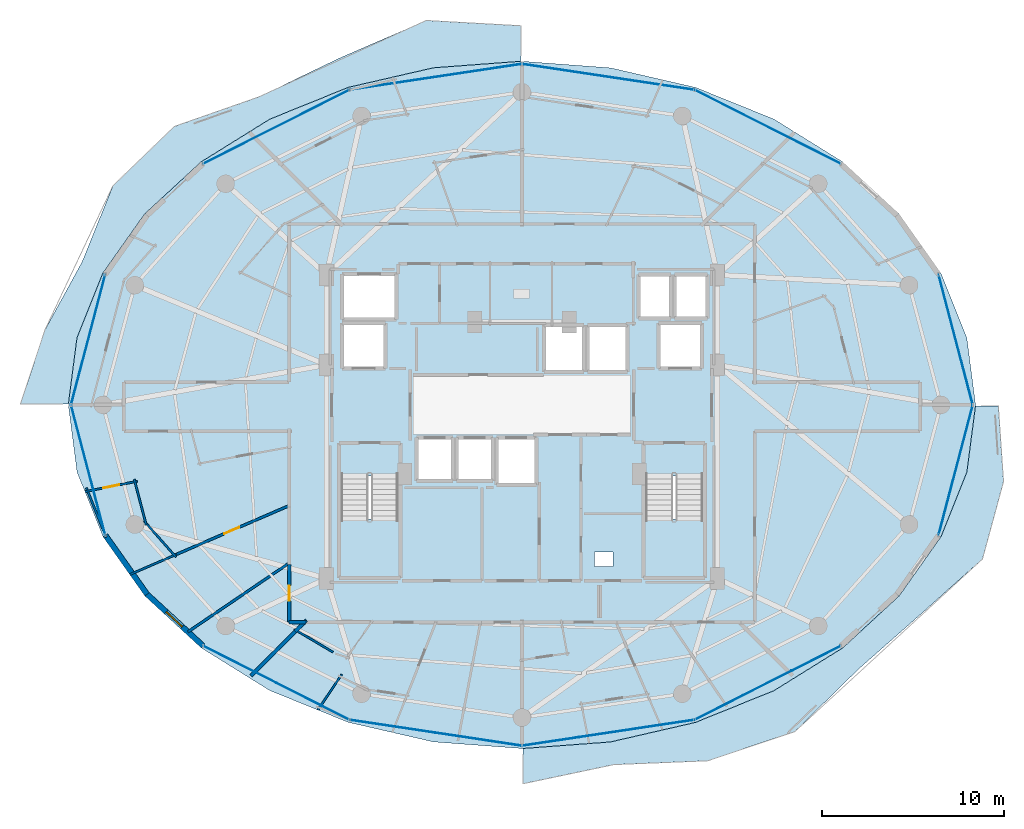
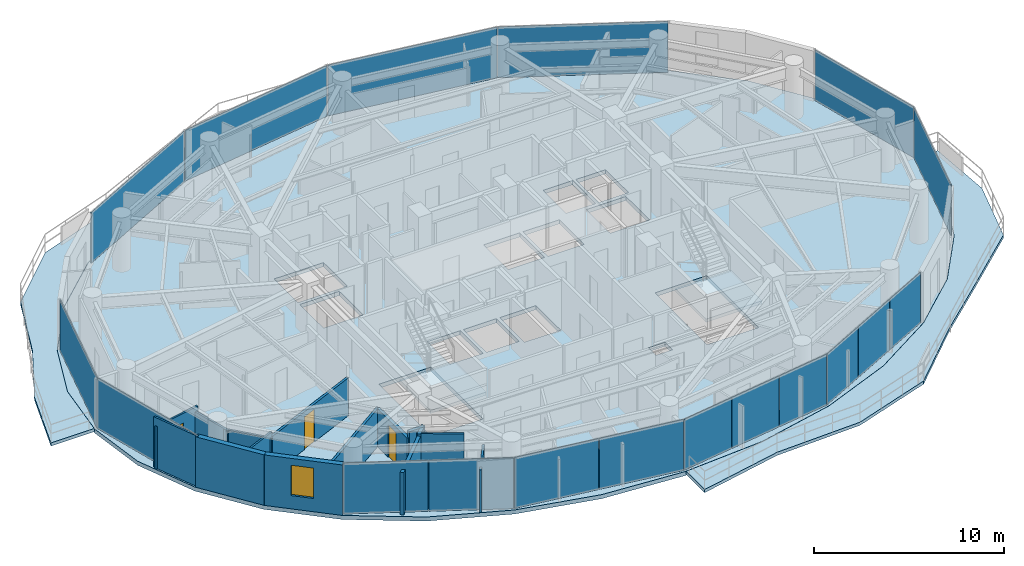
# One storey, part 21 of 31: 18 plates, 15 walls, 5 slabs, 3 doors, 1 window, 4 openings, 6 elements without a shape of their own.
"""IFC4 building model written with IfcOpenShell, lengths in metres."""

from ifc_helpers import new_model, si_unit, direction, frame, frame_2d, origin, origin_2d, place, context, subcontext, project, spatial, polyline, rectangle, outline, extrude, material, layer, layer_set, type_object, element, fill, aggregate, save


model = new_model("IFC4")

# Units and contexts
model_context = context("Model", 3, precision=1e-05, world=origin(), true_north=direction((0.0, 1.0)))
body_context = subcontext(model_context, "Body", "Model", "MODEL_VIEW")
ifc_project = project(units=[si_unit("LENGTHUNIT", "METRE"), si_unit("AREAUNIT", "SQUARE_METRE"), si_unit("VOLUMEUNIT", "CUBIC_METRE"), si_unit("PLANEANGLEUNIT", "RADIAN"), si_unit("MASSUNIT", "GRAM", prefix="KILO")], contexts=[model_context])

# Site, building, storey
site_placement = place(None, origin())
site = spatial("IfcSite", under=ifc_project, at=site_placement, CompositionType="ELEMENT")
building_placement = place(site_placement, origin())
building = spatial("IfcBuilding", under=site, at=building_placement, Name="Vorneva Point Tower", CompositionType="ELEMENT")
storey_placement = place(building_placement, frame((0.0, 0.0, 136.10009765625)))
storey = spatial("IfcBuildingStorey", under=building, at=storey_placement, Name="L36", CompositionType="ELEMENT", Elevation=136.10009765625)

# Curtain wall, plates
ifc_material_1 = material(Name="Pale anodised aluminium", Category="aluminium")
curtain_wall_type = type_object("IfcCurtainWallType", Name="CW-RES-SYS", PredefinedType="NOTDEFINED", material=ifc_material_1)
curtain_wall_1_placement = place(storey_placement, origin())
curtain_wall_1 = element("IfcCurtainWall", 1, at=curtain_wall_1_placement, inside=storey, type_object=curtain_wall_type, Name="L36 Unitised Curtain Wall CW-L36-R01", PredefinedType="NOTDEFINED")
ifc_material_2 = material(Name="Double low-e laminated glass IGU", Category="glass")
ifc_layer_1 = layer(ifc_material_2, 0.035888671875)
ifc_layer_set_1 = layer_set([ifc_layer_1], Name="Double low-e laminated glass IGU")
plate_type = type_object("IfcPlateType", Name="CW-PNL-VIS", PredefinedType="CURTAIN_PANEL", material=ifc_layer_set_1)
plate_1_placement = place(storey_placement, frame((61.856201171875, 22.412353515625, -0.02001953125), z_axis=(0.0, 0.0, 1.0), x_axis=(0.254433162972, 0.967090360608, 0.0)))
plate_1 = element("IfcPlate", 2, at=plate_1_placement, type_object=plate_type, Name="CW-L36-R01 Glazed Panel 01", PredefinedType="CURTAIN_PANEL", context=body_context, shape_type="SweptSolid", body=[
    extrude(rectangle(XDim=7.369384765625, YDim=0.035888671875, at=origin_2d()), origin(), (0.0, 0.0, 1.0), 3.280029296875),
])
plate_2_placement = place(storey_placement, frame((61.856201171875, 29.587646484375, -0.02001953125), z_axis=(0.0, 0.0, 1.0), x_axis=(-0.254433162972, 0.967090360608, 0.0)))
plate_2 = element("IfcPlate", 3, at=plate_2_placement, type_object=plate_type, Name="CW-L36-R01 Glazed Panel 02", PredefinedType="CURTAIN_PANEL", context=body_context, shape_type="SweptSolid", body=[
    extrude(rectangle(XDim=7.369384765625, YDim=0.035888671875, at=origin_2d()), origin(), (0.0, 0.0, 1.0), 3.280029296875),
])
aggregate(curtain_wall_1, [plate_1, plate_2])

curtain_wall_2_placement = place(storey_placement, origin())
curtain_wall_2 = element("IfcCurtainWall", 4, at=curtain_wall_2_placement, inside=storey, type_object=curtain_wall_type, Name="L36 Unitised Curtain Wall CW-L36-R02", PredefinedType="NOTDEFINED")
plate_3_placement = place(storey_placement, frame((51.513427734375, 41.29052734375, -0.02001953125), z_axis=(0.0, 0.0, 1.0), x_axis=(-0.892577949019, 0.450893119182, 0.0)))
plate_3 = element("IfcPlate", 5, at=plate_3_placement, type_object=plate_type, Name="CW-L36-R02 Glazed Panel 01", PredefinedType="CURTAIN_PANEL", context=body_context, shape_type="SweptSolid", body=[
    extrude(rectangle(XDim=8.964111328125, YDim=0.035888671875, at=origin_2d()), origin(), (0.0, 0.0, 1.0), 3.280029296875),
])
plate_4_placement = place(storey_placement, frame((42.7451171875, 44.036376953125, -0.02001953125), z_axis=(0.0, 0.0, 1.0), x_axis=(-0.988878712919, 0.148724211669, 0.0)))
plate_4 = element("IfcPlate", 6, at=plate_4_placement, type_object=plate_type, Name="CW-L36-R02 Glazed Panel 02", PredefinedType="CURTAIN_PANEL", context=body_context, shape_type="SweptSolid", body=[
    extrude(rectangle(XDim=9.547119140625, YDim=0.035888671875, at=origin_2d()), origin(), (0.0, 0.0, 1.0), 3.280029296875),
])
plate_5_placement = place(storey_placement, frame((33.2548828125, 44.036376953125, -0.02001953125), z_axis=(0.0, 0.0, 1.0), x_axis=(-0.988878712919, -0.148724211669, 0.0)))
plate_5 = element("IfcPlate", 7, at=plate_5_placement, type_object=plate_type, Name="CW-L36-R02 Glazed Panel 03", PredefinedType="CURTAIN_PANEL", context=body_context, shape_type="SweptSolid", body=[
    extrude(rectangle(XDim=9.547119140625, YDim=0.035888671875, at=origin_2d()), origin(), (0.0, 0.0, 1.0), 3.280029296875),
])
plate_6_placement = place(storey_placement, frame((24.486572265625, 41.29052734375, -0.02001953125), z_axis=(0.0, 0.0, 1.0), x_axis=(-0.892577949019, -0.450893119182, 0.0)))
plate_6 = element("IfcPlate", 8, at=plate_6_placement, type_object=plate_type, Name="CW-L36-R02 Glazed Panel 04", PredefinedType="CURTAIN_PANEL", context=body_context, shape_type="SweptSolid", body=[
    extrude(rectangle(XDim=8.964111328125, YDim=0.035888671875, at=origin_2d()), origin(), (0.0, 0.0, 1.0), 3.280029296875),
])
aggregate(curtain_wall_2, [plate_3, plate_4, plate_5, plate_6])

curtain_wall_3_placement = place(storey_placement, origin())
curtain_wall_3 = element("IfcCurtainWall", 9, at=curtain_wall_3_placement, inside=storey, type_object=curtain_wall_type, Name="L36 Unitised Curtain Wall CW-L36-R03", PredefinedType="NOTDEFINED")
plate_7_placement = place(storey_placement, frame((14.143798828125, 29.587646484375, -0.02001953125), z_axis=(0.0, 0.0, 1.0), x_axis=(-0.254433162972, -0.967090360608, 0.0)))
plate_7 = element("IfcPlate", 10, at=plate_7_placement, type_object=plate_type, Name="CW-L36-R03 Glazed Panel 01", PredefinedType="CURTAIN_PANEL", context=body_context, shape_type="SweptSolid", body=[
    extrude(rectangle(XDim=7.369384765625, YDim=0.035888671875, at=origin_2d()), origin(), (0.0, 0.0, 1.0), 3.280029296875),
])
plate_8_placement = place(storey_placement, frame((14.143798828125, 22.412353515625, -0.02001953125), z_axis=(0.0, 0.0, 1.0), x_axis=(0.254433162972, -0.967090360608, 0.0)))
plate_8 = element("IfcPlate", 11, at=plate_8_placement, type_object=plate_type, Name="CW-L36-R03 Glazed Panel 02", PredefinedType="CURTAIN_PANEL", context=body_context, shape_type="SweptSolid", body=[
    extrude(rectangle(XDim=7.369384765625, YDim=0.035888671875, at=origin_2d()), origin(), (0.0, 0.0, 1.0), 3.280029296875),
])
aggregate(curtain_wall_3, [plate_7, plate_8])

curtain_wall_4_placement = place(storey_placement, origin())
curtain_wall_4 = element("IfcCurtainWall", 12, at=curtain_wall_4_placement, inside=storey, type_object=curtain_wall_type, Name="L36 Unitised Curtain Wall CW-L36-R04", PredefinedType="NOTDEFINED")
plate_9_placement = place(storey_placement, frame((22.47509765625, 11.7255859375, -0.02001953125), z_axis=(0.0, 0.0, 1.0), x_axis=(0.892577949019, -0.450893119182, 0.0)))
plate_9 = element("IfcPlate", 13, at=plate_9_placement, type_object=plate_type, Name="CW-L36-R04 Glazed Panel 01A", PredefinedType="CURTAIN_PANEL", context=body_context, shape_type="SweptSolid", body=[
    extrude(rectangle(XDim=4.45703125, YDim=0.035888671875, at=origin_2d()), origin(), (0.0, 0.0, 1.0), 3.280029296875),
])
plate_10_placement = place(storey_placement, frame((26.498046875, 9.693359375, -0.02001953125), z_axis=(0.0, 0.0, 1.0), x_axis=(0.892577949019, -0.450893119182, 0.0)))
plate_10 = element("IfcPlate", 14, at=plate_10_placement, type_object=plate_type, Name="CW-L36-R04 Glazed Panel 01B", PredefinedType="CURTAIN_PANEL", context=body_context, shape_type="SweptSolid", body=[
    extrude(rectangle(XDim=4.45703125, YDim=0.035888671875, at=origin_2d()), origin(), (0.0, 0.0, 1.0), 3.280029296875),
])
plate_11_placement = place(storey_placement, frame((30.882080078125, 8.320556640625, -0.02001953125), z_axis=(0.0, 0.0, 1.0), x_axis=(0.988878712919, -0.148724211669, 0.0)))
plate_11 = element("IfcPlate", 15, at=plate_11_placement, type_object=plate_type, Name="CW-L36-R04 Glazed Panel 02A", PredefinedType="CURTAIN_PANEL", context=body_context, shape_type="SweptSolid", body=[
    extrude(rectangle(XDim=4.74853515625, YDim=0.035888671875, at=origin_2d()), origin(), (0.0, 0.0, 1.0), 3.280029296875),
])
plate_12_placement = place(storey_placement, frame((35.62744140625, 7.606689453125, -0.02001953125), z_axis=(0.0, 0.0, 1.0), x_axis=(0.988878712919, -0.148724211669, 0.0)))
plate_12 = element("IfcPlate", 16, at=plate_12_placement, type_object=plate_type, Name="CW-L36-R04 Glazed Panel 02B", PredefinedType="CURTAIN_PANEL", context=body_context, shape_type="SweptSolid", body=[
    extrude(rectangle(XDim=4.74853515625, YDim=0.035888671875, at=origin_2d()), origin(), (0.0, 0.0, 1.0), 3.280029296875),
])
plate_13_placement = place(storey_placement, frame((39.581787109375, 7.48779296875, -0.02001953125), z_axis=(0.0, 0.0, 1.0), x_axis=(0.988878712919, 0.148724211669, 0.0)))
plate_13 = element("IfcPlate", 17, at=plate_13_placement, type_object=plate_type, Name="CW-L36-R04 Glazed Panel 03A", PredefinedType="CURTAIN_PANEL", context=body_context, shape_type="SweptSolid", body=[
    extrude(rectangle(XDim=3.149169921875, YDim=0.035888671875, at=origin_2d()), origin(), (0.0, 0.0, 1.0), 3.280029296875),
])
plate_14_placement = place(storey_placement, frame((42.7451171875, 7.963623046875, -0.02001953125), z_axis=(0.0, 0.0, 1.0), x_axis=(0.988878712919, 0.148724211669, 0.0)))
plate_14 = element("IfcPlate", 18, at=plate_14_placement, type_object=plate_type, Name="CW-L36-R04 Glazed Panel 03B", PredefinedType="CURTAIN_PANEL", context=body_context, shape_type="SweptSolid", body=[
    extrude(rectangle(XDim=3.149169921875, YDim=0.035888671875, at=origin_2d()), origin(), (0.0, 0.0, 1.0), 3.280029296875),
])
plate_15_placement = place(storey_placement, frame((45.90869140625, 8.439453125, -0.02001953125), z_axis=(0.0, 0.0, 1.0), x_axis=(0.988878712919, 0.148724211669, 0.0)))
plate_15 = element("IfcPlate", 19, at=plate_15_placement, type_object=plate_type, Name="CW-L36-R04 Glazed Panel 03C", PredefinedType="CURTAIN_PANEL", context=body_context, shape_type="SweptSolid", body=[
    extrude(rectangle(XDim=3.149169921875, YDim=0.035888671875, at=origin_2d()), origin(), (0.0, 0.0, 1.0), 3.280029296875),
])
plate_16_placement = place(storey_placement, frame((48.831298828125, 9.354736328125, -0.02001953125), z_axis=(0.0, 0.0, 1.0), x_axis=(0.892577949019, 0.450893119182, 0.0)))
plate_16 = element("IfcPlate", 20, at=plate_16_placement, type_object=plate_type, Name="CW-L36-R04 Glazed Panel 04A", PredefinedType="CURTAIN_PANEL", context=body_context, shape_type="SweptSolid", body=[
    extrude(rectangle(XDim=2.95458984375, YDim=0.035888671875, at=origin_2d()), origin(), (0.0, 0.0, 1.0), 3.280029296875),
])
plate_17_placement = place(storey_placement, frame((51.513427734375, 10.70947265625, -0.02001953125), z_axis=(0.0, 0.0, 1.0), x_axis=(0.892577949019, 0.450893119182, 0.0)))
plate_17 = element("IfcPlate", 21, at=plate_17_placement, type_object=plate_type, Name="CW-L36-R04 Glazed Panel 04B", PredefinedType="CURTAIN_PANEL", context=body_context, shape_type="SweptSolid", body=[
    extrude(rectangle(XDim=2.95458984375, YDim=0.035888671875, at=origin_2d()), origin(), (0.0, 0.0, 1.0), 3.280029296875),
])
plate_18_placement = place(storey_placement, frame((54.1953125, 12.064208984375, -0.02001953125), z_axis=(0.0, 0.0, 1.0), x_axis=(0.892577949019, 0.450893119182, 0.0)))
plate_18 = element("IfcPlate", 22, at=plate_18_placement, type_object=plate_type, Name="CW-L36-R04 Glazed Panel 04C", PredefinedType="CURTAIN_PANEL", context=body_context, shape_type="SweptSolid", body=[
    extrude(rectangle(XDim=2.95458984375, YDim=0.035888671875, at=origin_2d()), origin(), (0.0, 0.0, 1.0), 3.280029296875),
])
aggregate(curtain_wall_4, [plate_9, plate_10, plate_11, plate_12, plate_13, plate_14, plate_15, plate_16, plate_17, plate_18])

# Slabs
ifc_material_3 = material(Name="Concrete B50 (C40/50)", Category="concrete")
ifc_layer_2 = layer(ifc_material_3, 0.199951171875)
ifc_layer_set_2 = layer_set([ifc_layer_2], Name="Concrete B50 (C40/50)")
slab_type_1 = type_object("IfcSlabType", Name="SLB-BAL-200", PredefinedType="FLOOR", material=ifc_layer_set_2)
slab_1_placement = place(storey_placement, frame((0.0, 0.0, -0.2001953125)))
element("IfcSlab", 23, at=slab_1_placement, inside=storey, type_object=slab_type_1, Name="L36 Cantilevered Wave Balcony NW", PredefinedType="FLOOR", context=body_context, shape_type="SweptSolid", body=[
    extrude(outline(polyline([(10.41650390625, 26.050048828125), (13.052490234375, 26.050048828125), (13.525390625, 29.687744140625), (13.525390625, 29.68798828125), (13.525634765625, 29.6884765625), (13.525634765625, 29.688720703125), (14.945556640625, 33.234130859375), (14.94580078125, 33.234619140625), (14.94580078125, 33.235107421875), (17.25146484375, 36.502685546875), (17.251708984375, 36.5029296875), (17.252197265625, 36.503173828125), (20.35498046875, 39.3671875), (20.355224609375, 39.367431640625), (20.355712890625, 39.36767578125), (24.136474609375, 41.71826171875), (24.13671875, 41.718505859375), (24.136962890625, 41.718505859375), (28.450439453125, 43.465087890625), (28.45068359375, 43.465087890625), (28.451171875, 43.465087890625), (33.131591796875, 44.540771484375), (33.1318359375, 44.540771484375), (33.132080078125, 44.540771484375), (37.949951171875, 44.900390625), (37.949951171875, 46.852783203125), (32.73974609375, 47.14404296875), (27.948486328125, 45.06640625), (23.520751953125, 42.935302734375), (18.88134765625, 41.313232421875), (15.500732421875, 38.047607421875), (13.8056640625, 33.85791015625), (11.775390625, 30.147705078125), (10.41650390625, 26.050048828125)])), origin(), (0.0, 0.0, 1.0), 0.2001953125),
])
slab_2_placement = place(storey_placement, frame((0.0, 0.0, -0.2001953125)))
element("IfcSlab", 24, at=slab_2_placement, inside=storey, type_object=slab_type_1, Name="L36 Cantilevered Wave Balcony SE", PredefinedType="FLOOR", context=body_context, shape_type="SweptSolid", body=[
    extrude(outline(polyline([(64.48876953125, 21.782958984375), (64.203369140625, 25.949951171875), (62.947509765625, 25.949951171875), (62.474609375, 22.312255859375), (62.474609375, 22.31201171875), (62.474365234375, 22.3115234375), (62.474365234375, 22.311279296875), (61.054443359375, 18.765869140625), (61.05419921875, 18.765380859375), (61.05419921875, 18.764892578125), (58.74853515625, 15.497314453125), (58.748291015625, 15.4970703125), (58.747802734375, 15.496826171875), (55.64501953125, 12.6328125), (55.644775390625, 12.632568359375), (55.644287109375, 12.63232421875), (51.863525390625, 10.28173828125), (51.86328125, 10.281494140625), (51.863037109375, 10.281494140625), (47.549560546875, 8.534912109375), (47.54931640625, 8.534912109375), (47.548828125, 8.534912109375), (42.868408203125, 7.459228515625), (42.8681640625, 7.459228515625), (42.867919921875, 7.459228515625), (38.050048828125, 7.099609375), (38.050048828125, 5.160400390625), (43.055908203125, 6.2138671875), (48.2119140625, 6.422607421875), (53.0048828125, 8.026123046875), (56.52099609375, 11.475830078125), (59.916015625, 14.467041015625), (63.3291015625, 17.521484375), (64.48876953125, 21.782958984375)])), origin(), (0.0, 0.0, 1.0), 0.2001953125),
])

# Stair, slab
stair_type = type_object("IfcStairType", Name="ST-DOG-1500", PredefinedType="HALF_TURN_STAIR", material=ifc_material_3)
stair_1_placement = place(storey_placement, origin())
stair_1 = element("IfcStair", 25, at=stair_1_placement, inside=storey, type_object=stair_type, Name="L36 ST1", PredefinedType="HALF_TURN_STAIR")
ifc_layer_3 = layer(ifc_material_3, 0.199951171875)
ifc_layer_set_3 = layer_set([ifc_layer_3], Name="Concrete B50 (C40/50)")
slab_type_2 = type_object("IfcSlabType", Name="SLB-LND-200", PredefinedType="LANDING", material=ifc_layer_set_3)
slab_3_placement = place(storey_placement, frame((0.0, 0.0, 1.5498046875)))
slab_3 = element("IfcSlab", 26, at=slab_3_placement, type_object=slab_type_2, Name="ST1 landing 1", PredefinedType="LANDING", context=body_context, shape_type="SweptSolid", body=[
    extrude(outline(polyline([(27.929931640625, 16.47998046875), (31.320068359375, 16.47998046875), (31.320068359375, 19.72998046875), (27.929931640625, 19.72998046875), (27.929931640625, 16.47998046875)])), origin(), (0.0, 0.0, 1.0), 0.2001953125),
])
aggregate(stair_1, [slab_3])

stair_2_placement = place(storey_placement, origin())
stair_2 = element("IfcStair", 27, at=stair_2_placement, inside=storey, type_object=stair_type, Name="L36 ST2", PredefinedType="HALF_TURN_STAIR")
slab_4_placement = place(storey_placement, frame((0.0, 0.0, 1.5498046875)))
slab_4 = element("IfcSlab", 28, at=slab_4_placement, type_object=slab_type_2, Name="ST2 landing 1", PredefinedType="LANDING", context=body_context, shape_type="SweptSolid", body=[
    extrude(outline(polyline([(44.679931640625, 16.47998046875), (48.070068359375, 16.47998046875), (48.070068359375, 19.72998046875), (44.679931640625, 19.72998046875), (44.679931640625, 16.47998046875)])), origin(), (0.0, 0.0, 1.0), 0.2001953125),
])
aggregate(stair_2, [slab_4])

# Slab
ifc_layer_4 = layer(ifc_material_3, 0.260009765625)
ifc_layer_set_4 = layer_set([ifc_layer_4], Name="Concrete B50 (C40/50)")
slab_type_3 = type_object("IfcSlabType", Name="SLB-TYP-260", PredefinedType="FLOOR", material=ifc_layer_set_4)
slab_5_placement = place(storey_placement, frame((0.0, 0.0, -0.260009765625)))
element("IfcSlab", 29, at=slab_5_placement, inside=storey, type_object=slab_type_3, Name="L36 Structural Floor Plate", PredefinedType="FLOOR", context=body_context, shape_type="SweptSolid", body=[
    extrude(outline(polyline([(62.949951171875, 26.0), (62.470703125, 29.687255859375), (61.05078125, 33.232666015625), (58.7451171875, 36.500244140625), (55.642333984375, 39.3642578125), (51.861572265625, 41.71484375), (47.548095703125, 43.461181640625), (42.867431640625, 44.536865234375), (38.0, 44.89990234375), (33.132568359375, 44.536865234375), (28.451904296875, 43.461181640625), (24.138427734375, 41.71484375), (20.357666015625, 39.3642578125), (17.2548828125, 36.500244140625), (14.94921875, 33.232666015625), (13.529296875, 29.687255859375), (13.050048828125, 26.0), (13.529296875, 22.312744140625), (14.94921875, 18.767333984375), (17.2548828125, 15.499755859375), (20.357666015625, 12.6357421875), (24.138427734375, 10.28515625), (28.451904296875, 8.538818359375), (33.132568359375, 7.463134765625), (38.0, 7.10009765625), (42.867431640625, 7.463134765625), (47.548095703125, 8.538818359375), (51.861572265625, 10.28515625), (55.642333984375, 12.6357421875), (58.7451171875, 15.499755859375), (61.05078125, 18.767333984375), (62.470703125, 22.312744140625), (62.949951171875, 26.0)]), holes=[polyline([(32.199951171875, 21.800048828125), (34.199951171875, 21.800048828125), (34.199951171875, 24.199951171875), (32.199951171875, 24.199951171875), (32.199951171875, 21.800048828125)]), polyline([(34.39990234375, 21.800048828125), (36.39990234375, 21.800048828125), (36.39990234375, 24.199951171875), (34.39990234375, 24.199951171875), (34.39990234375, 21.800048828125)]), polyline([(36.60009765625, 21.60009765625), (38.800048828125, 21.60009765625), (38.800048828125, 24.199951171875), (36.60009765625, 24.199951171875), (36.60009765625, 21.60009765625)]), polyline([(39.199951171875, 27.800048828125), (41.39990234375, 27.800048828125), (41.39990234375, 30.39990234375), (39.199951171875, 30.39990234375), (39.199951171875, 27.800048828125)]), polyline([(41.60009765625, 27.800048828125), (43.800048828125, 27.800048828125), (43.800048828125, 30.39990234375), (41.60009765625, 30.39990234375), (41.60009765625, 27.800048828125)]), polyline([(44.39990234375, 30.739990234375), (46.199951171875, 30.739990234375), (46.199951171875, 33.159912109375), (44.39990234375, 33.159912109375), (44.39990234375, 30.739990234375)]), polyline([(46.39990234375, 30.739990234375), (48.199951171875, 30.739990234375), (48.199951171875, 33.159912109375), (46.39990234375, 33.159912109375), (46.39990234375, 30.739990234375)]), polyline([(28.10009765625, 28.0), (30.5, 28.0), (30.5, 30.5), (28.10009765625, 30.5), (28.10009765625, 28.0)]), polyline([(45.5, 28.0), (47.89990234375, 28.0), (47.89990234375, 30.5), (45.5, 30.5), (45.5, 28.0)]), polyline([(28.10009765625, 30.699951171875), (31.10009765625, 30.699951171875), (31.10009765625, 33.199951171875), (28.10009765625, 33.199951171875), (28.10009765625, 30.699951171875)]), polyline([(28.050048828125, 16.60009765625), (31.199951171875, 16.60009765625), (31.199951171875, 22.080078125), (28.050048828125, 22.080078125), (28.050048828125, 16.60009765625)]), polyline([(44.800048828125, 16.60009765625), (47.949951171875, 16.60009765625), (47.949951171875, 22.080078125), (44.800048828125, 22.080078125), (44.800048828125, 16.60009765625)]), polyline([(42.0, 17.10009765625), (43.0, 17.10009765625), (43.0, 17.89990234375), (42.0, 17.89990234375), (42.0, 17.10009765625)])]), origin(), (0.0, 0.0, 1.0), 0.260009765625),
])

# Wall
ifc_material_4 = material(Name="Precast concrete B50 (C40/50)", Category="concrete")
ifc_layer_5 = layer(ifc_material_4, 0.300048828125)
ifc_layer_set_5 = layer_set([ifc_layer_5], Name="Precast concrete B50 (C40/50)")
wall_type_1 = type_object("IfcWallType", Name="WL-EXT-300", PredefinedType="STANDARD", material=ifc_layer_set_5)
wall_1_placement = place(storey_placement, frame((15.087890625, 18.82470703125, 0.0), z_axis=(0.0, 0.0, 1.0), x_axis=(0.577269753207, -0.816553508371, 0.0)))
element("IfcWall", 30, at=wall_1_placement, inside=storey, type_object=wall_type_1, Name="L36 Pale-Metal Facade Spandrel Wall 10.1", PredefinedType="STANDARD", context=body_context, shape_type="SweptSolid", body=[
    extrude(rectangle(XDim=3.969970703125, YDim=0.300048828125, at=frame_2d((1.98486328125, 0.0))), origin(), (0.0, 0.0, 1.0), 3.239990234375),
])

# Wall, opening, window
wall_2_placement = place(storey_placement, frame((17.379638671875, 15.5830078125, 0.0), z_axis=(0.0, 0.0, 1.0), x_axis=(0.735477154165, -0.677549522693, 0.0)))
wall_2 = element("IfcWall", 31, at=wall_2_placement, inside=storey, type_object=wall_type_1, Name="L36 Pale-Metal Facade Spandrel Wall 10.2", PredefinedType="STANDARD", context=body_context, shape_type="SweptSolid", body=[
    extrude(rectangle(XDim=4.193603515625, YDim=0.300048828125, at=frame_2d((2.0966796875, 0.0))), origin(), (0.0, 0.0, 1.0), 3.239990234375),
])
opening_1_placement = place(wall_2_placement, frame((1.437744140625, 0.0, 0.85009765625)))
opening_1 = element("IfcOpeningElement", 32, at=opening_1_placement, cuts=wall_2, Name="Opening W-04", PredefinedType="OPENING", context=body_context, shape_type="SweptSolid", body=[
    extrude(rectangle(XDim=1.199951171875, YDim=1.949951171875, at=frame_2d((0.60009765625, 0.97509765625))), frame((0.0, 0.1650390625, 0.0), z_axis=(0.0, -1.0, 0.0), x_axis=(1.0, 0.0, 0.0)), (0.0, 0.0, 1.0), 0.329833984375),
])
window_type = type_object("IfcWindowType", Name="WN-RES-1200", PartitioningType="SINGLE_PANEL", PredefinedType="WINDOW", material=ifc_material_2)
window_placement = place(opening_1_placement, origin())
window = element("IfcWindow", 33, at=window_placement, inside=storey, type_object=window_type, Name="L36 Dwelling Vision Window 01", OverallHeight=1.949951171875, OverallWidth=1.199951171875, PartitioningType="SINGLE_PANEL", PredefinedType="WINDOW", context=body_context, shape_type="SweptSolid", body=[
    extrude(rectangle(XDim=1.199951171875, YDim=1.949951171875, at=frame_2d((0.60009765625, 0.97509765625))), frame((0.0, 0.030029296875, 0.0), z_axis=(0.0, -1.0, 0.0), x_axis=(1.0, 0.0, 0.0)), (0.0, 0.0, 1.0), 0.06005859375),
])
fill(opening_1, window)

# Wall, opening, door
ifc_material_5 = material(Name="Fire-rated acoustic gypsum stud partition", Category="gypsum")
ifc_layer_6 = layer(ifc_material_5, 0.110107421875)
ifc_layer_set_6 = layer_set([ifc_layer_6], Name="Fire-rated acoustic gypsum stud partition")
wall_type_2 = type_object("IfcWallType", Name="WL-PART-110", PredefinedType="PARTITIONING", material=ifc_layer_set_6)
wall_3_placement = place(storey_placement, frame((13.976806640625, 21.229736328125, 0.0), z_axis=(0.0, 0.0, 1.0), x_axis=(0.980903189798, 0.194496612425, 0.0)))
wall_3 = element("IfcWall", 34, at=wall_3_placement, inside=storey, type_object=wall_type_2, Name="L36 Interior Partition 102", PredefinedType="PARTITIONING", context=body_context, shape_type="SweptSolid", body=[
    extrude(rectangle(XDim=2.928466796875, YDim=0.110107421875, at=frame_2d((1.46435546875, 0.0))), origin(), (0.0, 0.0, 1.0), 2.727783203125),
])
opening_2_placement = place(wall_3_placement, frame((1.01416015625, 0.0, 0.0)))
opening_2 = element("IfcOpeningElement", 35, at=opening_2_placement, cuts=wall_3, Name="Opening ID-01", PredefinedType="OPENING", context=body_context, shape_type="SweptSolid", body=[
    extrude(rectangle(XDim=0.89990234375, YDim=2.10009765625, at=frame_2d((0.449951171875, 1.050048828125))), frame((0.0, 0.06982421875, 0.0), z_axis=(0.0, -1.0, 0.0), x_axis=(1.0, 0.0, 0.0)), (0.0, 0.0, 1.0), 0.139892578125),
])
ifc_material_6 = material(Name="Engineered oak fire-rated door leaf", Category="wood")
door_type_1 = type_object("IfcDoorType", Name="DR-ROOM-900", OperationType="NOTDEFINED", PredefinedType="DOOR", material=ifc_material_6)
door_1_placement = place(opening_2_placement, origin())
door_1 = element("IfcDoor", 36, at=door_1_placement, inside=storey, type_object=door_type_1, Name="L36 Door Living and Dining Room L36-05 / Kitchen L36-05", OperationType="SINGLE_SWING_LEFT", OverallHeight=2.10009765625, OverallWidth=0.89990234375, PredefinedType="DOOR", context=body_context, shape_type="SweptSolid", body=[
    extrude(rectangle(XDim=0.89990234375, YDim=2.10009765625, at=frame_2d((0.449951171875, 1.050048828125))), frame((0.0, 0.02490234375, 0.0), z_axis=(0.0, -1.0, 0.0), x_axis=(1.0, 0.0, 0.0)), (0.0, 0.0, 1.0), 0.050048828125),
])
fill(opening_2, door_1)

# Walls
wall_4_placement = place(storey_placement, frame((16.676513671875, 21.907470703125, 0.0), z_axis=(0.0, 0.0, 1.0), x_axis=(0.254263226868, -0.967135053373, 0.0)))
element("IfcWall", 37, at=wall_4_placement, inside=storey, type_object=wall_type_2, Name="L36 Interior Partition 103", PredefinedType="PARTITIONING", context=body_context, shape_type="SweptSolid", body=[
    extrude(rectangle(XDim=2.61181640625, YDim=0.110107421875, at=frame_2d((1.305908203125, 0.0))), origin(), (0.0, 0.0, 1.0), 2.431884765625),
])
wall_5_placement = place(storey_placement, frame((17.21240234375, 19.621826171875, 0.0), z_axis=(0.0, 0.0, 1.0), x_axis=(0.662196601313, -0.749330141666, 0.0)))
element("IfcWall", 38, at=wall_5_placement, inside=storey, type_object=wall_type_2, Name="L36 Interior Partition 104", PredefinedType="PARTITIONING", context=body_context, shape_type="SweptSolid", body=[
    extrude(rectangle(XDim=2.66748046875, YDim=0.110107421875, at=frame_2d((1.333740234375, 0.0))), origin(), (0.0, 0.0, 1.0), 2.431884765625),
])
wall_6_placement = place(storey_placement, frame((14.0400390625, 21.443115234375, 0.0), z_axis=(0.0, 0.0, 1.0), x_axis=(0.371490730185, -0.928436663099, 0.0)))
element("IfcWall", 39, at=wall_6_placement, inside=storey, type_object=wall_type_2, Name="L36 Interior Partition 105", PredefinedType="PARTITIONING", context=body_context, shape_type="SweptSolid", body=[
    extrude(rectangle(XDim=2.94482421875, YDim=0.110107421875, at=frame_2d((1.472412109375, 0.0))), origin(), (0.0, 0.0, 1.0), 3.239990234375),
])
wall_7_placement = place(storey_placement, frame((16.443603515625, 16.67138671875, 0.0), z_axis=(0.0, 0.0, 1.0), x_axis=(0.91777806569, 0.39709371959, 0.0)))
element("IfcWall", 40, at=wall_7_placement, inside=storey, type_object=wall_type_2, Name="L36 Interior Partition 107", PredefinedType="PARTITIONING", context=body_context, shape_type="SweptSolid", body=[
    extrude(rectangle(XDim=2.801025390625, YDim=0.110107421875, at=frame_2d((1.400390625, 0.0))), origin(), (0.0, 0.0, 1.0), 2.727783203125),
])
wall_8_placement = place(storey_placement, frame((27.610595703125, 12.398681640625, 0.0), z_axis=(0.0, 0.0, 1.0), x_axis=(-0.860546797705, 0.509371386082, 0.0)))
element("IfcWall", 41, at=wall_8_placement, inside=storey, type_object=wall_type_2, Name="L36 Interior Partition 113", PredefinedType="PARTITIONING", context=body_context, shape_type="SweptSolid", body=[
    extrude(rectangle(XDim=2.484619140625, YDim=0.110107421875, at=frame_2d((1.2421875, 0.0))), origin(), (0.0, 0.0, 1.0), 2.8740234375),
])
wall_9_placement = place(storey_placement, frame((26.78515625, 9.2275390625, 0.0), z_axis=(0.0, 0.0, 1.0), x_axis=(0.555802936367, 0.831314077786, 0.0)))
element("IfcWall", 42, at=wall_9_placement, inside=storey, type_object=wall_type_2, Name="L36 Interior Partition 114", PredefinedType="PARTITIONING", context=body_context, shape_type="SweptSolid", body=[
    extrude(rectangle(XDim=2.34912109375, YDim=0.110107421875, at=frame_2d((1.174560546875, 0.0))), origin(), (0.0, 0.0, 1.0), 2.727783203125),
])

# Wall, opening, door
ifc_layer_7 = layer(ifc_material_5, 0.139892578125)
ifc_layer_set_7 = layer_set([ifc_layer_7], Name="Fire-rated acoustic gypsum stud partition")
wall_type_3 = type_object("IfcWallType", Name="WL-PART-140", PredefinedType="PARTITIONING", material=ifc_layer_set_7)
wall_10_placement = place(storey_placement, frame((18.885986328125, 17.72802734375, 0.0), z_axis=(0.0, 0.0, 1.0), x_axis=(0.917722116807, 0.397223005782, 0.0)))
wall_10 = element("IfcWall", 43, at=wall_10_placement, inside=storey, type_object=wall_type_3, Name="L36 Interior Partition 106", PredefinedType="PARTITIONING", context=body_context, shape_type="SweptSolid", body=[
    extrude(rectangle(XDim=6.880126953125, YDim=0.139892578125, at=frame_2d((3.43994140625, 0.0))), origin(), (0.0, 0.0, 1.0), 2.431884765625),
])
opening_3_placement = place(wall_10_placement, frame((2.989990234375, 0.0, 0.0)))
opening_3 = element("IfcOpeningElement", 44, at=opening_3_placement, cuts=wall_10, Name="Opening ID-01", PredefinedType="OPENING", context=body_context, shape_type="SweptSolid", body=[
    extrude(rectangle(XDim=0.89990234375, YDim=2.10009765625, at=frame_2d((0.449951171875, 1.050048828125))), frame((0.0, 0.0849609375, 0.0), z_axis=(0.0, -1.0, 0.0), x_axis=(1.0, 0.0, 0.0)), (0.0, 0.0, 1.0), 0.169677734375),
])
door_2_placement = place(opening_3_placement, origin())
door_2 = element("IfcDoor", 45, at=door_2_placement, inside=storey, type_object=door_type_1, Name="L36 Door Living and Dining Room L36-05 / Master Bedroom L36-05.1", OperationType="SINGLE_SWING_RIGHT", OverallHeight=2.10009765625, OverallWidth=0.89990234375, PredefinedType="DOOR", context=body_context, shape_type="SweptSolid", body=[
    extrude(rectangle(XDim=0.89990234375, YDim=2.10009765625, at=frame_2d((0.449951171875, 1.050048828125))), frame((0.0, 0.02490234375, 0.0), z_axis=(0.0, -1.0, 0.0), x_axis=(1.0, 0.0, 0.0)), (0.0, 0.0, 1.0), 0.050048828125),
])
fill(opening_3, door_2)

# Wall
wall_11_placement = place(storey_placement, frame((19.626953125, 13.513916015625, 0.0), z_axis=(0.0, 0.0, 1.0), x_axis=(0.827101009155, 0.562053307663, 0.0)))
element("IfcWall", 46, at=wall_11_placement, inside=storey, type_object=wall_type_3, Name="L36 Interior Partition 108", PredefinedType="PARTITIONING", context=body_context, shape_type="SweptSolid", body=[
    extrude(rectangle(XDim=6.738037109375, YDim=0.139892578125, at=frame_2d((3.369140625, 0.0))), origin(), (0.0, 0.0, 1.0), 2.431884765625),
])

# Wall, opening, door
ifc_material_7 = material(Name="Autoclaved aerated concrete blockwork", Category="masonry")
ifc_layer_8 = layer(ifc_material_7, 0.179931640625)
ifc_layer_set_8 = layer_set([ifc_layer_8], Name="Autoclaved aerated concrete blockwork")
wall_type_4 = type_object("IfcWallType", Name="WL-PART-180", PredefinedType="PARTITIONING", material=ifc_layer_set_8)
wall_12_placement = place(storey_placement, frame((25.199951171875, 17.22802734375, 0.0), z_axis=(0.0, 0.0, 1.0), x_axis=(0.0, -1.0, 0.0)))
wall_12 = element("IfcWall", 47, at=wall_12_placement, inside=storey, type_object=wall_type_4, Name="L36 Interior Partition 051", PredefinedType="PARTITIONING", context=body_context, shape_type="SweptSolid", body=[
    extrude(rectangle(XDim=3.177978515625, YDim=0.179931640625, at=frame_2d((1.5888671875, 0.0))), origin(), (0.0, 0.0, 1.0), 2.431884765625),
])
opening_4_placement = place(wall_12_placement, frame((1.1640625, 0.0, 0.0)))
opening_4 = element("IfcOpeningElement", 48, at=opening_4_placement, cuts=wall_12, Name="Opening ID-02", PredefinedType="OPENING", context=body_context, shape_type="SweptSolid", body=[
    extrude(rectangle(XDim=0.85009765625, YDim=2.10009765625, at=frame_2d((0.425048828125, 1.050048828125))), frame((0.0, 0.10498046875, 0.0), z_axis=(0.0, -1.0, 0.0), x_axis=(1.0, 0.0, 0.0)), (0.0, 0.0, 1.0), 0.209716796875),
])
door_type_2 = type_object("IfcDoorType", Name="DR-BATH-850", OperationType="NOTDEFINED", PredefinedType="DOOR", material=ifc_material_6)
door_3_placement = place(opening_4_placement, origin())
door_3 = element("IfcDoor", 49, at=door_3_placement, inside=storey, type_object=door_type_2, Name="L36 Access Door L36 Circulation Corridor", OperationType="SINGLE_SWING_LEFT", OverallHeight=2.10009765625, OverallWidth=0.85009765625, PredefinedType="DOOR", context=body_context, shape_type="SweptSolid", body=[
    extrude(rectangle(XDim=0.85009765625, YDim=2.10009765625, at=frame_2d((0.425048828125, 1.050048828125))), frame((0.0, 0.02490234375, 0.0), z_axis=(0.0, -1.0, 0.0), x_axis=(1.0, 0.0, 0.0)), (0.0, 0.0, 1.0), 0.050048828125),
])
fill(opening_4, door_3)

# Walls
wall_13_placement = place(storey_placement, frame((25.199951171875, 14.050048828125, 0.0), z_axis=(0.0, 0.0, 1.0), x_axis=(1.0, 0.0, 0.0)))
element("IfcWall", 50, at=wall_13_placement, inside=storey, type_object=wall_type_4, Name="L36 Interior Partition 052", PredefinedType="PARTITIONING", context=body_context, shape_type="SweptSolid", body=[
    extrude(rectangle(XDim=0.91015625, YDim=0.179931640625, at=frame_2d((0.455078125, 0.0))), origin(), (0.0, 0.0, 1.0), 2.8740234375),
])
ifc_layer_9 = layer(ifc_material_7, 0.199951171875)
ifc_layer_set_9 = layer_set([ifc_layer_9], Name="Autoclaved aerated concrete blockwork")
wall_type_5 = type_object("IfcWallType", Name="WL-PART-200", PredefinedType="PARTITIONING", material=ifc_layer_set_9)
wall_14_placement = place(storey_placement, frame((23.10498046875, 11.10498046875, 0.0), z_axis=(0.0, 0.0, 1.0), x_axis=(0.707106781187, 0.707106781187, 0.0)))
element("IfcWall", 51, at=wall_14_placement, inside=storey, type_object=wall_type_5, Name="L36 Interior Partition 109", PredefinedType="PARTITIONING", context=body_context, shape_type="SweptSolid", body=[
    extrude(rectangle(XDim=3.580810546875, YDim=0.199951171875, at=frame_2d((1.79052734375, 0.0))), origin(), (0.0, 0.0, 1.0), 2.727783203125),
])
wall_15_placement = place(storey_placement, frame((25.5380859375, 13.5380859375, 0.0), z_axis=(0.0, 0.0, 1.0), x_axis=(0.707106781187, 0.707106781187, 0.0)))
element("IfcWall", 52, at=wall_15_placement, inside=storey, type_object=wall_type_5, Name="L36 Interior Partition 110", PredefinedType="PARTITIONING", context=body_context, shape_type="SweptSolid", body=[
    extrude(rectangle(XDim=0.86376953125, YDim=0.199951171875, at=frame_2d((0.431884765625, 0.0))), origin(), (0.0, 0.0, 1.0), 2.8740234375),
])

save(model, "model.ifc")
